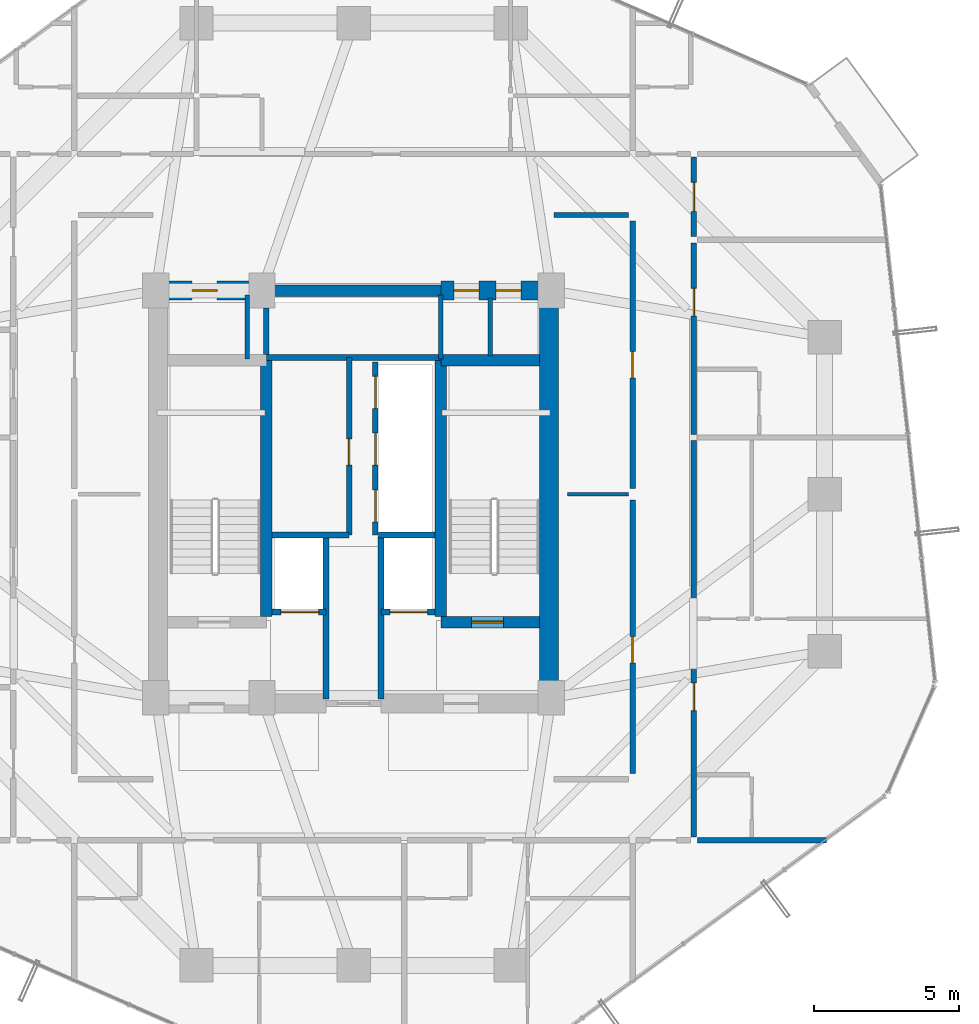
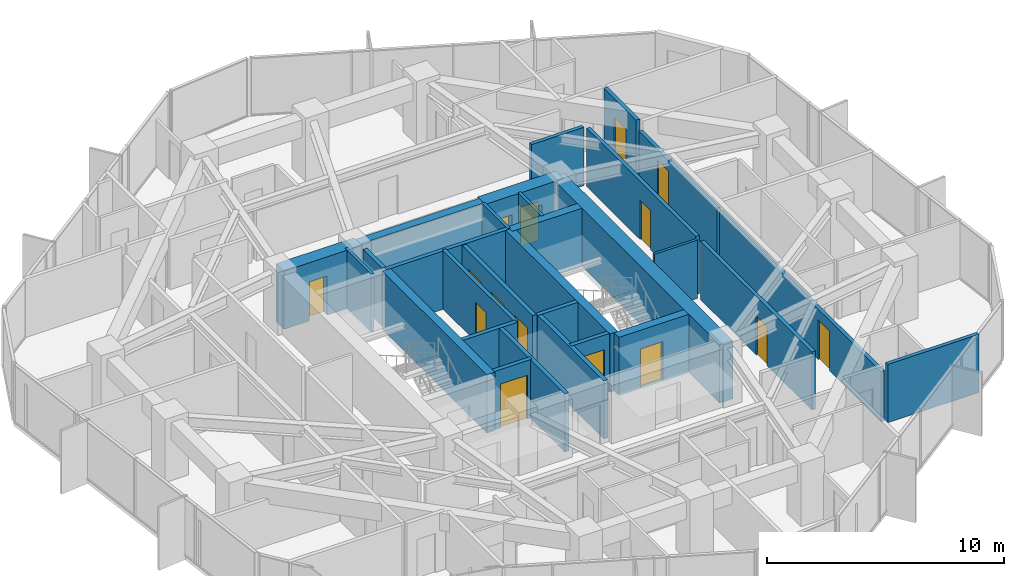
# One storey, part 30 of 34: 29 walls, 15 doors, 15 openings.
"""IFC4 building model written with IfcOpenShell, lengths in metres."""

from ifc_helpers import new_model, si_unit, direction, frame, frame_2d, origin, place, context, subcontext, project, spatial, rectangle, extrude, source, transform, mapped, material, layer, layer_set, type_object, element, fill, save


model = new_model("IFC4")

# Units and contexts
model_context = context("Model", 3, precision=1e-05, world=origin(), true_north=direction((0.0, 1.0)))
body_context = subcontext(model_context, "Body", "Model", "MODEL_VIEW")
ifc_project = project(units=[si_unit("LENGTHUNIT", "METRE"), si_unit("AREAUNIT", "SQUARE_METRE"), si_unit("VOLUMEUNIT", "CUBIC_METRE"), si_unit("PLANEANGLEUNIT", "RADIAN"), si_unit("MASSUNIT", "GRAM", prefix="KILO")], contexts=[model_context])

# Site, building, storey
site_placement = place(None, origin())
site = spatial("IfcSite", under=ifc_project, at=site_placement, CompositionType="ELEMENT")
building_placement = place(site_placement, origin())
building = spatial("IfcBuilding", under=site, at=building_placement, Name="Veraguas Prism Commons", CompositionType="ELEMENT")
storey_placement = place(building_placement, frame((0.0, 0.0, 149.0)))
storey = spatial("IfcBuildingStorey", under=building, at=storey_placement, Name="L42", CompositionType="ELEMENT", Elevation=149.0)

# Wall
ifc_material_1 = material(Name="Concrete C50/60", Category="concrete")
ifc_layer_1 = layer(ifc_material_1, 0.39990234375, Name="Clinic and Mid Core Shear Wall RC 400", Category="concrete")
ifc_layer_set_1 = layer_set([ifc_layer_1], Name="Concrete C50/60")
wall_type_1 = type_object("IfcWallType", Name="Clinic and Mid Core Shear Wall RC 400", PredefinedType="SHEAR", material=ifc_layer_set_1)
wall_1_placement = place(storey_placement, frame((21.0, 31.0, 0.0), z_axis=(0.0, 0.0, 1.0), x_axis=(1.0, 0.0, 0.0)))
element("IfcWall", 1, at=wall_1_placement, inside=storey, type_object=wall_type_1, Name="High-Rise Lift Bank Front Shear Wall L42", PredefinedType="SHEAR", context=body_context, shape_type="SweptSolid", body=[
    extrude(rectangle(XDim=6.0, YDim=0.39990234375, at=frame_2d((3.0, 0.0))), origin(), (0.0, 0.0, 1.0), 3.0),
])

# Wall, opening, door
wall_2_placement = place(storey_placement, frame((27.0, 19.60009765625, 0.0), z_axis=(0.0, 0.0, 1.0), x_axis=(1.0, 0.0, 0.0)))
wall_2 = element("IfcWall", 2, at=wall_2_placement, inside=storey, type_object=wall_type_1, Name="Stair ST-02 South Shear Wall L42", PredefinedType="SHEAR", context=body_context, shape_type="SweptSolid", body=[
    extrude(rectangle(XDim=3.39990234375, YDim=0.39990234375, at=frame_2d((1.699951171875, 0.0))), origin(), (0.0, 0.0, 1.0), 3.0),
])
opening_1_placement = place(wall_2_placement, frame((1.050048828125, 0.0, 0.0)))
opening_1 = element("IfcOpeningElement", 3, at=opening_1_placement, cuts=wall_2, Name="Opening DR-05", PredefinedType="OPENING", context=body_context, shape_type="SweptSolid", body=[
    extrude(rectangle(XDim=1.10009765625, YDim=2.030029296875, at=frame_2d((0.550048828125, 1.01513671875))), frame((0.0, 0.2099609375, 0.0), z_axis=(0.0, -1.0, 0.0), x_axis=(1.0, 0.0, 0.0)), (0.0, 0.0, 1.0), 0.419921875),
])
ifc_material_2 = material(Name="Steel fire-rated door assembly", Category="steel")
door_type_1 = type_object("IfcDoorType", Name="Protected Stair and Refuge Fire Door 1100x2030", OperationType="NOTDEFINED", PredefinedType="DOOR", material=ifc_material_2)
shared_shape_1 = source(origin(), body_context, "Body", "SweptSolid", [
    extrude(rectangle(XDim=1.10009765625, YDim=2.030029296875, at=frame_2d((0.550048828125, 1.01513671875))), frame((0.0, 0.02490234375, 0.0), z_axis=(0.0, -1.0, 0.0), x_axis=(1.0, 0.0, 0.0)), (0.0, 0.0, 1.0), 0.050048828125),
])
door_1_placement = place(opening_1_placement, origin())
door_1 = element("IfcDoor", 4, at=door_1_placement, inside=storey, type_object=door_type_1, Name="Stair ST-02 Enclosure Door L42", OperationType="SINGLE_SWING_RIGHT", OverallHeight=2.030029296875, OverallWidth=1.10009765625, PredefinedType="DOOR", context=body_context, shape_type="MappedRepresentation", body=[
    mapped(shared_shape_1, transform((0.0, 0.0, 0.0), scale=1.0)),
])
fill(opening_1, door_1)

# Walls
for number, where, z_axis, x_axis, name in (
    (5, (21.0, 19.800048828125, 0.0), (0.0, 0.0, 1.0), (0.0, 1.0, 0.0), "Stair ST-01 Inner Shear Wall L42"),
    (6, (27.0, 19.800048828125, 0.0), (0.0, 0.0, 1.0), (0.0, 1.0, 0.0), "Stair ST-02 Inner Shear Wall L42"),
):
    element("IfcWall", number, at=place(storey_placement, frame(where, z_axis=z_axis, x_axis=x_axis)), inside=storey, type_object=wall_type_1, Name=name, PredefinedType="SHEAR", context=body_context, shape_type="SweptSolid", body=[
        extrude(rectangle(XDim=8.800048828125, YDim=0.39990234375, at=frame_2d((4.39990234375, 0.0))), origin(), (0.0, 0.0, 1.0), 3.0),
    ])
wall_3_placement = place(storey_placement, frame((27.0, 28.60009765625, 0.0), z_axis=(0.0, 0.0, 1.0), x_axis=(1.0, 0.0, 0.0)))
element("IfcWall", 7, at=wall_3_placement, inside=storey, type_object=wall_type_1, Name="Stair ST-02 North Shear Wall L42", PredefinedType="SHEAR", context=body_context, shape_type="SweptSolid", body=[
    extrude(rectangle(XDim=3.39990234375, YDim=0.39990234375, at=frame_2d((1.699951171875, 0.0))), origin(), (0.0, 0.0, 1.0), 3.0),
])
ifc_material_3 = material(Name="Concrete C55/67", Category="concrete")
ifc_layer_2 = layer(ifc_material_3, 0.64990234375, Name="Core Outer Shear Wall Mid RC 650", Category="concrete")
ifc_layer_set_2 = layer_set([ifc_layer_2], Name="Concrete C55/67")
wall_type_2 = type_object("IfcWallType", Name="Core Outer Shear Wall Mid RC 650", PredefinedType="SHEAR", material=ifc_layer_set_2)
wall_4_placement = place(storey_placement, frame((30.72509765625, 16.800048828125, 0.0), z_axis=(0.0, 0.0, 1.0), x_axis=(0.0, 1.0, 0.0)))
element("IfcWall", 8, at=wall_4_placement, inside=storey, type_object=wall_type_2, Name="Central Core East Shear Wall L42", PredefinedType="SHEAR", context=body_context, shape_type="SweptSolid", body=[
    extrude(rectangle(XDim=14.199951171875, YDim=0.64990234375, at=frame_2d((7.10009765625, 0.0))), origin(), (0.0, 0.0, 1.0), 3.0),
])

# Wall, opening, door
wall_5_placement = place(storey_placement, frame((17.199951171875, 31.0, 0.0), z_axis=(0.0, 0.0, 1.0), x_axis=(1.0, 0.0, 0.0)))
wall_5 = element("IfcWall", 9, at=wall_5_placement, inside=storey, type_object=wall_type_2, Name="Central Core North-West Shear Wall L42", PredefinedType="SHEAR", context=body_context, shape_type="SweptSolid", body=[
    extrude(rectangle(XDim=3.800048828125, YDim=0.64990234375, at=frame_2d((1.89990234375, 0.0))), origin(), (0.0, 0.0, 1.0), 3.0),
])
opening_2_placement = place(wall_5_placement, frame((1.25, 0.0, 0.0)))
opening_2 = element("IfcOpeningElement", 10, at=opening_2_placement, cuts=wall_5, Name="Opening DR-12", PredefinedType="OPENING", context=body_context, shape_type="SweptSolid", body=[
    extrude(rectangle(XDim=0.860107421875, YDim=2.010009765625, at=frame_2d((0.43017578125, 1.0048828125))), frame((0.0, 0.3349609375, 0.0), z_axis=(0.0, -1.0, 0.0), x_axis=(1.0, 0.0, 0.0)), (0.0, 0.0, 1.0), 0.669921875),
])
door_type_2 = type_object("IfcDoorType", Name="Core WC Fire Door 860x2010", OperationType="NOTDEFINED", PredefinedType="DOOR", material=ifc_material_2)
shared_shape_2 = source(origin(), body_context, "Body", "SweptSolid", [
    extrude(rectangle(XDim=0.860107421875, YDim=2.010009765625, at=frame_2d((0.43017578125, 1.0048828125))), frame((0.0, 0.02490234375, 0.0), z_axis=(0.0, -1.0, 0.0), x_axis=(1.0, 0.0, 0.0)), (0.0, 0.0, 1.0), 0.050048828125),
])
door_2_placement = place(opening_2_placement, origin())
door_2 = element("IfcDoor", 11, at=door_2_placement, inside=storey, type_object=door_type_2, Name="Core NW Service Door L42", OperationType="SINGLE_SWING_RIGHT", OverallHeight=2.010009765625, OverallWidth=0.860107421875, PredefinedType="DOOR", context=body_context, shape_type="MappedRepresentation", body=[
    mapped(shared_shape_2, transform((0.0, 0.0, 0.0), scale=1.0)),
])
fill(opening_2, door_2)

# Wall, openings, doors
wall_6_placement = place(storey_placement, frame((27.0, 31.0, 0.0), z_axis=(0.0, 0.0, 1.0), x_axis=(1.0, 0.0, 0.0)))
wall_6 = element("IfcWall", 12, at=wall_6_placement, inside=storey, type_object=wall_type_2, Name="Central Core North-East Shear Wall L42", PredefinedType="SHEAR", context=body_context, shape_type="SweptSolid", body=[
    extrude(rectangle(XDim=3.800048828125, YDim=0.64990234375, at=frame_2d((1.89990234375, 0.0))), origin(), (0.0, 0.0, 1.0), 3.0),
])
opening_3_placement = place(wall_6_placement, frame((0.449951171875, 0.0, 0.0)))
opening_3 = element("IfcOpeningElement", 13, at=opening_3_placement, cuts=wall_6, Name="Opening DR-12", PredefinedType="OPENING", context=body_context, shape_type="SweptSolid", body=[
    extrude(rectangle(XDim=0.860107421875, YDim=2.010009765625, at=frame_2d((0.43017578125, 1.0048828125))), frame((0.0, 0.3349609375, 0.0), z_axis=(0.0, -1.0, 0.0), x_axis=(1.0, 0.0, 0.0)), (0.0, 0.0, 1.0), 0.669921875),
])
opening_4_placement = place(wall_6_placement, frame((1.89990234375, 0.0, 0.0)))
opening_4 = element("IfcOpeningElement", 14, at=opening_4_placement, cuts=wall_6, Name="Opening DR-12", PredefinedType="OPENING", context=body_context, shape_type="SweptSolid", body=[
    extrude(rectangle(XDim=0.860107421875, YDim=2.010009765625, at=frame_2d((0.43017578125, 1.0048828125))), frame((0.0, 0.3349609375, 0.0), z_axis=(0.0, -1.0, 0.0), x_axis=(1.0, 0.0, 0.0)), (0.0, 0.0, 1.0), 0.669921875),
])
door_3_placement = place(opening_3_placement, origin())
door_3 = element("IfcDoor", 15, at=door_3_placement, inside=storey, type_object=door_type_2, Name="Core NE Room A Door L42", OperationType="SINGLE_SWING_LEFT", OverallHeight=2.010009765625, OverallWidth=0.860107421875, PredefinedType="DOOR", context=body_context, shape_type="MappedRepresentation", body=[
    mapped(shared_shape_2, transform((0.0, 0.0, 0.0), scale=1.0)),
])
fill(opening_3, door_3)
door_4_placement = place(opening_4_placement, origin())
door_4 = element("IfcDoor", 16, at=door_4_placement, inside=storey, type_object=door_type_2, Name="Core NE Room B Door L42", OperationType="SINGLE_SWING_RIGHT", OverallHeight=2.010009765625, OverallWidth=0.860107421875, PredefinedType="DOOR", context=body_context, shape_type="MappedRepresentation", body=[
    mapped(shared_shape_2, transform((0.0, 0.0, 0.0), scale=1.0)),
])
fill(opening_4, door_4)

# Wall, opening, door
ifc_material_4 = material(Name="Autoclaved aerated masonry block 10 MPa", Category="masonry")
ifc_layer_3 = layer(ifc_material_4, 0.179931640625, Name="Corridor and Inter-Tenancy Partition 180", Category="masonry")
ifc_layer_set_3 = layer_set([ifc_layer_3], Name="Autoclaved aerated masonry block 10 MPa")
wall_type_3 = type_object("IfcWallType", Name="Corridor and Inter-Tenancy Partition 180", PredefinedType="PARTITIONING", material=ifc_layer_set_3)
wall_7_placement = place(storey_placement, frame((23.85009765625, 22.60009765625, 0.0), z_axis=(0.0, 0.0, 1.0), x_axis=(0.0, 1.0, 0.0)))
wall_7 = element("IfcWall", 17, at=wall_7_placement, inside=storey, type_object=wall_type_3, Name="Reading Room Partition L42", PredefinedType="PARTITIONING", context=body_context, shape_type="SweptSolid", body=[
    extrude(rectangle(XDim=6.099853515625, YDim=0.179931640625, at=frame_2d((3.0498046875, 0.0))), origin(), (0.0, 0.0, 1.0), 3.0),
])
opening_5_placement = place(wall_7_placement, frame((2.39990234375, 0.0, 0.0)))
opening_5 = element("IfcOpeningElement", 18, at=opening_5_placement, cuts=wall_7, Name="Opening DR-14", PredefinedType="OPENING", context=body_context, shape_type="SweptSolid", body=[
    extrude(rectangle(XDim=0.89990234375, YDim=2.010009765625, at=frame_2d((0.449951171875, 1.0048828125))), frame((0.0, 0.099853515625, 0.0), z_axis=(0.0, -1.0, 0.0), x_axis=(1.0, 0.0, 0.0)), (0.0, 0.0, 1.0), 0.199951171875),
])
door_type_3 = type_object("IfcDoorType", Name="Core Service Room Fire Door 900x2010", OperationType="NOTDEFINED", PredefinedType="DOOR", material=ifc_material_2)
shared_shape_3 = source(origin(), body_context, "Body", "SweptSolid", [
    extrude(rectangle(XDim=0.89990234375, YDim=2.010009765625, at=frame_2d((0.449951171875, 1.0048828125))), frame((0.0, 0.02490234375, 0.0), z_axis=(0.0, -1.0, 0.0), x_axis=(1.0, 0.0, 0.0)), (0.0, 0.0, 1.0), 0.050048828125),
])
door_5_placement = place(opening_5_placement, origin())
door_5 = element("IfcDoor", 19, at=door_5_placement, inside=storey, type_object=door_type_3, Name="Reading Room Door L42", OperationType="SINGLE_SWING_LEFT", OverallHeight=2.010009765625, OverallWidth=0.89990234375, PredefinedType="DOOR", context=body_context, shape_type="MappedRepresentation", body=[
    mapped(shared_shape_3, transform((0.0, 0.0, 0.0), scale=1.0)),
])
fill(opening_5, door_5)

wall_8_placement = place(storey_placement, frame((33.60009765625, 14.39990234375, 0.0), z_axis=(0.0, 0.0, 1.0), x_axis=(0.0, 1.0, 0.0)))
wall_8 = element("IfcWall", 20, at=wall_8_placement, inside=storey, type_object=wall_type_3, Name="WL-L42-IRE1", PredefinedType="PARTITIONING", context=body_context, shape_type="SweptSolid", body=[
    extrude(rectangle(XDim=9.400146484375, YDim=0.179931640625, at=frame_2d((4.7001953125, 0.0))), origin(), (0.0, 0.0, 1.0), 3.0),
])
opening_6_placement = place(wall_8_placement, frame((3.800048828125, 0.0, 0.0)))
opening_6 = element("IfcOpeningElement", 21, at=opening_6_placement, cuts=wall_8, Name="Opening DR-14", PredefinedType="OPENING", context=body_context, shape_type="SweptSolid", body=[
    extrude(rectangle(XDim=0.89990234375, YDim=2.010009765625, at=frame_2d((0.449951171875, 1.0048828125))), frame((0.0, 0.099853515625, 0.0), z_axis=(0.0, -1.0, 0.0), x_axis=(1.0, 0.0, 0.0)), (0.0, 0.0, 1.0), 0.199951171875),
])
door_6_placement = place(opening_6_placement, origin())
door_6 = element("IfcDoor", 22, at=door_6_placement, inside=storey, type_object=door_type_3, Name="Shared Laundry Annex Door L42", OperationType="SINGLE_SWING_RIGHT", OverallHeight=2.010009765625, OverallWidth=0.89990234375, PredefinedType="DOOR", context=body_context, shape_type="MappedRepresentation", body=[
    mapped(shared_shape_3, transform((0.0, 0.0, 0.0), scale=1.0)),
])
fill(opening_6, door_6)

wall_9_placement = place(storey_placement, frame((33.60009765625, 24.199951171875, 0.0), z_axis=(0.0, 0.0, 1.0), x_axis=(0.0, 1.0, 0.0)))
wall_9 = element("IfcWall", 23, at=wall_9_placement, inside=storey, type_object=wall_type_3, Name="WL-L42-IRE2", PredefinedType="PARTITIONING", context=body_context, shape_type="SweptSolid", body=[
    extrude(rectangle(XDim=9.199951171875, YDim=0.179931640625, at=frame_2d((4.60009765625, 0.0))), origin(), (0.0, 0.0, 1.0), 3.0),
])
opening_7_placement = place(wall_9_placement, frame((3.800048828125, 0.0, 0.0)))
opening_7 = element("IfcOpeningElement", 24, at=opening_7_placement, cuts=wall_9, Name="Opening DR-14", PredefinedType="OPENING", context=body_context, shape_type="SweptSolid", body=[
    extrude(rectangle(XDim=0.89990234375, YDim=2.010009765625, at=frame_2d((0.449951171875, 1.0048828125))), frame((0.0, 0.099853515625, 0.0), z_axis=(0.0, -1.0, 0.0), x_axis=(1.0, 0.0, 0.0)), (0.0, 0.0, 1.0), 0.199951171875),
])
door_7_placement = place(opening_7_placement, origin())
door_7 = element("IfcDoor", 25, at=door_7_placement, inside=storey, type_object=door_type_3, Name="Community Reading Alcove Door L42", OperationType="SINGLE_SWING_LEFT", OverallHeight=2.010009765625, OverallWidth=0.89990234375, PredefinedType="DOOR", context=body_context, shape_type="MappedRepresentation", body=[
    mapped(shared_shape_3, transform((0.0, 0.0, 0.0), scale=1.0)),
])
fill(opening_7, door_7)

# Walls
wall_10_placement = place(storey_placement, frame((30.89990234375, 33.60009765625, 0.0), z_axis=(0.0, 0.0, 1.0), x_axis=(1.0, 0.0, 0.0)))
element("IfcWall", 26, at=wall_10_placement, inside=storey, type_object=wall_type_3, Name="WL-L42-IREN", PredefinedType="PARTITIONING", context=body_context, shape_type="SweptSolid", body=[
    extrude(rectangle(XDim=2.550048828125, YDim=0.179931640625, at=frame_2d((1.27490234375, 0.0))), origin(), (0.0, 0.0, 1.0), 3.0),
])
wall_11_placement = place(storey_placement, frame((35.820068359375, 12.10009765625, 0.0), z_axis=(0.0, 0.0, 1.0), x_axis=(1.0, 0.0, 0.0)))
element("IfcWall", 27, at=wall_11_placement, inside=storey, type_object=wall_type_3, Name="WL-L42-PT037", PredefinedType="PARTITIONING", context=body_context, shape_type="SweptSolid", body=[
    extrude(rectangle(XDim=4.43994140625, YDim=0.179931640625, at=frame_2d((2.219970703125, 0.0))), origin(), (0.0, 0.0, 1.0), 3.0),
])

# Wall, opening, door
wall_12_placement = place(storey_placement, frame((35.699951171875, 12.2099609375, 0.0), z_axis=(0.0, 0.0, 1.0), x_axis=(0.0, 1.0, 0.0)))
wall_12 = element("IfcWall", 28, at=wall_12_placement, inside=storey, type_object=wall_type_3, Name="WL-L42-PT039", PredefinedType="PARTITIONING", context=body_context, shape_type="SweptSolid", body=[
    extrude(rectangle(XDim=13.6279296875, YDim=0.179931640625, at=frame_2d((6.81396484375, 0.0))), origin(), (0.0, 0.0, 1.0), 2.580078125),
])
opening_8_placement = place(wall_12_placement, frame((4.347900390625, 0.0, 0.0)))
opening_8 = element("IfcOpeningElement", 29, at=opening_8_placement, cuts=wall_12, Name="Opening DR-01", PredefinedType="OPENING", context=body_context, shape_type="SweptSolid", body=[
    extrude(rectangle(XDim=0.949951171875, YDim=2.02001953125, at=frame_2d((0.47509765625, 1.010009765625))), frame((0.0, 0.099853515625, 0.0), z_axis=(0.0, -1.0, 0.0), x_axis=(1.0, 0.0, 0.0)), (0.0, 0.0, 1.0), 0.199951171875),
])
ifc_material_5 = material(Name="Anodised aluminium EN AW-6063 T6", Category="aluminium")
door_type_4 = type_object("IfcDoorType", Name="Apartment Entrance Fire Door 950x2020", OperationType="NOTDEFINED", PredefinedType="DOOR", material=ifc_material_5)
shared_shape_4 = source(origin(), body_context, "Body", "SweptSolid", [
    extrude(rectangle(XDim=0.949951171875, YDim=2.02001953125, at=frame_2d((0.47509765625, 1.010009765625))), frame((0.0, 0.02490234375, 0.0), z_axis=(0.0, -1.0, 0.0), x_axis=(1.0, 0.0, 0.0)), (0.0, 0.0, 1.0), 0.050048828125),
])
door_8_placement = place(opening_8_placement, origin())
door_8 = element("IfcDoor", 30, at=door_8_placement, inside=storey, type_object=door_type_4, Name="Flat 42D Entrance Door", OperationType="SINGLE_SWING_RIGHT", OverallHeight=2.02001953125, OverallWidth=0.949951171875, PredefinedType="DOOR", context=body_context, shape_type="MappedRepresentation", body=[
    mapped(shared_shape_4, transform((0.0, 0.0, 0.0), scale=1.0)),
])
fill(opening_8, door_8)

wall_13_placement = place(storey_placement, frame((35.699951171875, 32.860107421875, 0.0), z_axis=(0.0, 0.0, 1.0), x_axis=(0.0, 1.0, 0.0)))
wall_13 = element("IfcWall", 31, at=wall_13_placement, inside=storey, type_object=wall_type_3, Name="WL-L42-PT046", PredefinedType="PARTITIONING", context=body_context, shape_type="SweptSolid", body=[
    extrude(rectangle(XDim=2.72998046875, YDim=0.179931640625, at=frame_2d((1.364990234375, 0.0))), origin(), (0.0, 0.0, 1.0), 3.0),
])
opening_9_placement = place(wall_13_placement, frame((0.864990234375, 0.0, 0.0)))
opening_9 = element("IfcOpeningElement", 32, at=opening_9_placement, cuts=wall_13, Name="Opening DR-13", PredefinedType="OPENING", context=body_context, shape_type="SweptSolid", body=[
    extrude(rectangle(XDim=1.0, YDim=2.010009765625, at=frame_2d((0.5, 1.0048828125))), frame((0.0, 0.099853515625, 0.0), z_axis=(0.0, -1.0, 0.0), x_axis=(1.0, 0.0, 0.0)), (0.0, 0.0, 1.0), 0.199951171875),
])
door_type_5 = type_object("IfcDoorType", Name="Core Accessible WC and Clinic Fire Door 1000x2010", OperationType="NOTDEFINED", PredefinedType="DOOR", material=ifc_material_2)
shared_shape_5 = source(origin(), body_context, "Body", "SweptSolid", [
    extrude(rectangle(XDim=1.0, YDim=2.010009765625, at=frame_2d((0.5, 1.0048828125))), frame((0.0, 0.02490234375, 0.0), z_axis=(0.0, -1.0, 0.0), x_axis=(1.0, 0.0, 0.0)), (0.0, 0.0, 1.0), 0.050048828125),
])
door_9_placement = place(opening_9_placement, origin())
door_9 = element("IfcDoor", 33, at=door_9_placement, inside=storey, type_object=door_type_5, Name="Quiet Study E Door", OperationType="SINGLE_SWING_RIGHT", OverallHeight=2.010009765625, OverallWidth=1.0, PredefinedType="DOOR", context=body_context, shape_type="MappedRepresentation", body=[
    mapped(shared_shape_5, transform((0.0, 0.0, 0.0), scale=1.0)),
])
fill(opening_9, door_9)

wall_14_placement = place(storey_placement, frame((35.699951171875, 26.05810546875, 0.0), z_axis=(0.0, 0.0, 1.0), x_axis=(0.0, 1.0, 0.0)))
wall_14 = element("IfcWall", 34, at=wall_14_placement, inside=storey, type_object=wall_type_3, Name="WL-L42-PT048", PredefinedType="PARTITIONING", context=body_context, shape_type="SweptSolid", body=[
    extrude(rectangle(XDim=6.581787109375, YDim=0.179931640625, at=frame_2d((3.291015625, 0.0))), origin(), (0.0, 0.0, 1.0), 2.580078125),
])
opening_10_placement = place(wall_14_placement, frame((4.07177734375, 0.0, 0.0)))
opening_10 = element("IfcOpeningElement", 35, at=opening_10_placement, cuts=wall_14, Name="Opening DR-01", PredefinedType="OPENING", context=body_context, shape_type="SweptSolid", body=[
    extrude(rectangle(XDim=0.949951171875, YDim=2.02001953125, at=frame_2d((0.47509765625, 1.010009765625))), frame((0.0, 0.099853515625, 0.0), z_axis=(0.0, -1.0, 0.0), x_axis=(1.0, 0.0, 0.0)), (0.0, 0.0, 1.0), 0.199951171875),
])
door_10_placement = place(opening_10_placement, origin())
door_10 = element("IfcDoor", 36, at=door_10_placement, inside=storey, type_object=door_type_4, Name="Studio 42E Entrance Door", OperationType="SINGLE_SWING_LEFT", OverallHeight=2.02001953125, OverallWidth=0.949951171875, PredefinedType="DOOR", context=body_context, shape_type="MappedRepresentation", body=[
    mapped(shared_shape_4, transform((0.0, 0.0, 0.0), scale=1.0)),
])
fill(opening_10, door_10)

# Wall
ifc_material_6 = material(Name="Lightweight acoustic gypsum board")
ifc_layer_4 = layer(ifc_material_6, 0.125, Name="Internal Apartment Room Partition 125")
ifc_layer_set_4 = layer_set([ifc_layer_4], Name="Lightweight acoustic gypsum board")
wall_type_4 = type_object("IfcWallType", Name="Internal Apartment Room Partition 125", PredefinedType="PARTITIONING", material=ifc_layer_set_4)
wall_15_placement = place(storey_placement, frame((31.35009765625, 24.0, 0.0), z_axis=(0.0, 0.0, 1.0), x_axis=(1.0, 0.0, 0.0)))
element("IfcWall", 37, at=wall_15_placement, inside=storey, type_object=wall_type_4, Name="WL-L42-IREM", PredefinedType="PARTITIONING", context=body_context, shape_type="SweptSolid", body=[
    extrude(rectangle(XDim=2.099853515625, YDim=0.125, at=frame_2d((1.0498046875, 0.0))), origin(), (0.0, 0.0, 1.0), 3.0),
])

# Wall, opening, door
ifc_layer_5 = layer(ifc_material_4, 0.199951171875, Name="Rated Shaft and Lobby Block Wall 200", Category="masonry")
ifc_layer_set_5 = layer_set([ifc_layer_5], Name="Autoclaved aerated masonry block 10 MPa")
wall_type_5 = type_object("IfcWallType", Name="Rated Shaft and Lobby Block Wall 200", PredefinedType="SOLIDWALL", material=ifc_layer_set_5)
wall_16_placement = place(storey_placement, frame((21.199951171875, 19.949951171875, 0.0), z_axis=(0.0, 0.0, 1.0), x_axis=(1.0, 0.0, 0.0)))
wall_16 = element("IfcWall", 38, at=wall_16_placement, inside=storey, type_object=wall_type_5, Name="Firefighting Lift FFL-1 Front Wall L42", PredefinedType="SOLIDWALL", context=body_context, shape_type="SweptSolid", body=[
    extrude(rectangle(XDim=1.85009765625, YDim=0.199951171875, at=frame_2d((0.925048828125, 0.0))), origin(), (0.0, 0.0, 1.0), 3.0),
])
opening_11_placement = place(wall_16_placement, frame((0.300048828125, 0.0, 0.0)))
opening_11 = element("IfcOpeningElement", 39, at=opening_11_placement, cuts=wall_16, Name="Opening LD-02", PredefinedType="OPENING", context=body_context, shape_type="SweptSolid", body=[
    extrude(rectangle(XDim=1.300048828125, YDim=2.25, at=frame_2d((0.64990234375, 1.125))), frame((0.0, 0.10986328125, 0.0), z_axis=(0.0, -1.0, 0.0), x_axis=(1.0, 0.0, 0.0)), (0.0, 0.0, 1.0), 0.219970703125),
])
ifc_material_7 = material(Name="Stainless steel AISI 316", Category="steel")
door_type_6 = type_object("IfcDoorType", Name="Firefighting Lift Sliding Landing Door 1300x2250", OperationType="NOTDEFINED", PredefinedType="DOOR", material=ifc_material_7)
shared_shape_6 = source(origin(), body_context, "Body", "SweptSolid", [
    extrude(rectangle(XDim=1.300048828125, YDim=2.25, at=frame_2d((0.64990234375, 1.125))), frame((0.0, 0.02490234375, 0.0), z_axis=(0.0, -1.0, 0.0), x_axis=(1.0, 0.0, 0.0)), (0.0, 0.0, 1.0), 0.050048828125),
])
door_11_placement = place(opening_11_placement, origin())
door_11 = element("IfcDoor", 40, at=door_11_placement, inside=storey, type_object=door_type_6, Name="Firefighting Lift FFL-1 Landing Door L42", OperationType="SLIDING_TO_LEFT", OverallHeight=2.25, OverallWidth=1.300048828125, PredefinedType="DOOR", context=body_context, shape_type="MappedRepresentation", body=[
    mapped(shared_shape_6, transform((0.0, 0.0, 0.0), scale=1.0)),
])
fill(opening_11, door_11)

wall_17_placement = place(storey_placement, frame((24.949951171875, 19.949951171875, 0.0), z_axis=(0.0, 0.0, 1.0), x_axis=(1.0, 0.0, 0.0)))
wall_17 = element("IfcWall", 41, at=wall_17_placement, inside=storey, type_object=wall_type_5, Name="Firefighting Lift FFL-2 Front Wall L42", PredefinedType="SOLIDWALL", context=body_context, shape_type="SweptSolid", body=[
    extrude(rectangle(XDim=1.85009765625, YDim=0.199951171875, at=frame_2d((0.925048828125, 0.0))), origin(), (0.0, 0.0, 1.0), 3.0),
])
opening_12_placement = place(wall_17_placement, frame((0.300048828125, 0.0, 0.0)))
opening_12 = element("IfcOpeningElement", 42, at=opening_12_placement, cuts=wall_17, Name="Opening LD-02", PredefinedType="OPENING", context=body_context, shape_type="SweptSolid", body=[
    extrude(rectangle(XDim=1.300048828125, YDim=2.25, at=frame_2d((0.64990234375, 1.125))), frame((0.0, 0.10986328125, 0.0), z_axis=(0.0, -1.0, 0.0), x_axis=(1.0, 0.0, 0.0)), (0.0, 0.0, 1.0), 0.219970703125),
])
door_12_placement = place(opening_12_placement, origin())
door_12 = element("IfcDoor", 43, at=door_12_placement, inside=storey, type_object=door_type_6, Name="Firefighting Lift FFL-2 Front Wall L42", OperationType="SLIDING_TO_LEFT", OverallHeight=2.25, OverallWidth=1.300048828125, PredefinedType="DOOR", context=body_context, shape_type="MappedRepresentation", body=[
    mapped(shared_shape_6, transform((0.0, 0.0, 0.0), scale=1.0)),
])
fill(opening_12, door_12)

# Walls
for number, where, z_axis, x_axis, name in (
    (44, (23.050048828125, 16.949951171875, 0.0), (0.0, 0.0, 1.0), (0.0, 1.0, 0.0), "West FF Lobby Divider Wall L42"),
    (45, (24.949951171875, 16.949951171875, 0.0), (0.0, 0.0, 1.0), (0.0, 1.0, 0.0), "East FF Lobby Divider Wall L42"),
):
    element("IfcWall", number, at=place(storey_placement, frame(where, z_axis=z_axis, x_axis=x_axis)), inside=storey, type_object=wall_type_5, Name=name, PredefinedType="SOLIDWALL", context=body_context, shape_type="SweptSolid", body=[
        extrude(rectangle(XDim=5.60009765625, YDim=0.199951171875, at=frame_2d((2.800048828125, 0.0))), origin(), (0.0, 0.0, 1.0), 3.0),
    ])
wall_18_placement = place(storey_placement, frame((21.199951171875, 22.60009765625, 0.0), z_axis=(0.0, 0.0, 1.0), x_axis=(1.0, 0.0, 0.0)))
element("IfcWall", 46, at=wall_18_placement, inside=storey, type_object=wall_type_5, Name="Firefighting Lift FFL-1 Rear Wall L42", PredefinedType="SOLIDWALL", context=body_context, shape_type="SweptSolid", body=[
    extrude(rectangle(XDim=2.650146484375, YDim=0.199951171875, at=frame_2d((1.3251953125, 0.0))), origin(), (0.0, 0.0, 1.0), 3.0),
])
wall_19_placement = place(storey_placement, frame((24.85009765625, 22.60009765625, 0.0), z_axis=(0.0, 0.0, 1.0), x_axis=(1.0, 0.0, 0.0)))
element("IfcWall", 47, at=wall_19_placement, inside=storey, type_object=wall_type_5, Name="Firefighting Lift FFL-2 Rear Wall L42", PredefinedType="SOLIDWALL", context=body_context, shape_type="SweptSolid", body=[
    extrude(rectangle(XDim=1.949951171875, YDim=0.199951171875, at=frame_2d((0.97509765625, 0.0))), origin(), (0.0, 0.0, 1.0), 3.0),
])
wall_20_placement = place(storey_placement, frame((21.0, 28.699951171875, 0.0), z_axis=(0.0, 0.0, 1.0), x_axis=(1.0, 0.0, 0.0)))
element("IfcWall", 48, at=wall_20_placement, inside=storey, type_object=wall_type_5, Name="High-Rise Lift Bank Rear Shaft Wall L42", PredefinedType="SOLIDWALL", context=body_context, shape_type="SweptSolid", body=[
    extrude(rectangle(XDim=6.0, YDim=0.199951171875, at=frame_2d((3.0, 0.0))), origin(), (0.0, 0.0, 1.0), 3.0),
])
wall_21_placement = place(storey_placement, frame((21.0, 28.800048828125, 0.0), z_axis=(0.0, 0.0, 1.0), x_axis=(0.0, 1.0, 0.0)))
element("IfcWall", 49, at=wall_21_placement, inside=storey, type_object=wall_type_5, Name="High-Rise Lift Bank West Shaft Wall L42", PredefinedType="SOLIDWALL", context=body_context, shape_type="SweptSolid", body=[
    extrude(rectangle(XDim=1.599853515625, YDim=0.199951171875, at=frame_2d((0.7998046875, 0.0))), origin(), (0.0, 0.0, 1.0), 3.0),
])

# Wall, openings, doors
wall_22_placement = place(storey_placement, frame((24.75, 22.60009765625, 0.0), z_axis=(0.0, 0.0, 1.0), x_axis=(0.0, 1.0, 0.0)))
wall_22 = element("IfcWall", 50, at=wall_22_placement, inside=storey, type_object=wall_type_5, Name="Mid-Rise Lift Bank Front Wall L42", PredefinedType="SOLIDWALL", context=body_context, shape_type="SweptSolid", body=[
    extrude(rectangle(XDim=5.949951171875, YDim=0.199951171875, at=frame_2d((2.97509765625, 0.0))), origin(), (0.0, 0.0, 1.0), 3.0),
])
opening_13_placement = place(wall_22_placement, frame((0.449951171875, 0.0, 0.0)))
opening_13 = element("IfcOpeningElement", 51, at=opening_13_placement, cuts=wall_22, Name="Opening LD-01", PredefinedType="OPENING", context=body_context, shape_type="SweptSolid", body=[
    extrude(rectangle(XDim=1.10009765625, YDim=2.080078125, at=frame_2d((0.550048828125, 1.0400390625))), frame((0.0, 0.10986328125, 0.0), z_axis=(0.0, -1.0, 0.0), x_axis=(1.0, 0.0, 0.0)), (0.0, 0.0, 1.0), 0.219970703125),
])
opening_14_placement = place(wall_22_placement, frame((2.39990234375, 0.0, 0.0)))
opening_14 = element("IfcOpeningElement", 52, at=opening_14_placement, cuts=wall_22, Name="Opening LD-01", PredefinedType="OPENING", context=body_context, shape_type="SweptSolid", body=[
    extrude(rectangle(XDim=1.10009765625, YDim=2.080078125, at=frame_2d((0.550048828125, 1.0400390625))), frame((0.0, 0.10986328125, 0.0), z_axis=(0.0, -1.0, 0.0), x_axis=(1.0, 0.0, 0.0)), (0.0, 0.0, 1.0), 0.219970703125),
])
opening_15_placement = place(wall_22_placement, frame((4.35009765625, 0.0, 0.0)))
opening_15 = element("IfcOpeningElement", 53, at=opening_15_placement, cuts=wall_22, Name="Opening LD-01", PredefinedType="OPENING", context=body_context, shape_type="SweptSolid", body=[
    extrude(rectangle(XDim=1.10009765625, YDim=2.080078125, at=frame_2d((0.550048828125, 1.0400390625))), frame((0.0, 0.10986328125, 0.0), z_axis=(0.0, -1.0, 0.0), x_axis=(1.0, 0.0, 0.0)), (0.0, 0.0, 1.0), 0.219970703125),
])
door_type_7 = type_object("IfcDoorType", Name="Passenger Lift Sliding Landing Door 1100x2080", OperationType="NOTDEFINED", PredefinedType="DOOR", material=ifc_material_7)
shared_shape_7 = source(origin(), body_context, "Body", "SweptSolid", [
    extrude(rectangle(XDim=1.10009765625, YDim=2.080078125, at=frame_2d((0.550048828125, 1.0400390625))), frame((0.0, 0.02490234375, 0.0), z_axis=(0.0, -1.0, 0.0), x_axis=(1.0, 0.0, 0.0)), (0.0, 0.0, 1.0), 0.050048828125),
])
door_13_placement = place(opening_13_placement, origin())
door_13 = element("IfcDoor", 54, at=door_13_placement, inside=storey, type_object=door_type_7, Name="Sliding Landing Door PL-M1 L42", OperationType="SLIDING_TO_LEFT", OverallHeight=2.080078125, OverallWidth=1.10009765625, PredefinedType="DOOR", context=body_context, shape_type="MappedRepresentation", body=[
    mapped(shared_shape_7, transform((0.0, 0.0, 0.0), scale=1.0)),
])
fill(opening_13, door_13)
door_14_placement = place(opening_14_placement, origin())
door_14 = element("IfcDoor", 55, at=door_14_placement, inside=storey, type_object=door_type_7, Name="Sliding Landing Door PL-M2 L42", OperationType="SLIDING_TO_LEFT", OverallHeight=2.080078125, OverallWidth=1.10009765625, PredefinedType="DOOR", context=body_context, shape_type="MappedRepresentation", body=[
    mapped(shared_shape_7, transform((0.0, 0.0, 0.0), scale=1.0)),
])
fill(opening_14, door_14)
door_15_placement = place(opening_15_placement, origin())
door_15 = element("IfcDoor", 56, at=door_15_placement, inside=storey, type_object=door_type_7, Name="Sliding Landing Door PL-M3 L42", OperationType="SLIDING_TO_LEFT", OverallHeight=2.080078125, OverallWidth=1.10009765625, PredefinedType="DOOR", context=body_context, shape_type="MappedRepresentation", body=[
    mapped(shared_shape_7, transform((0.0, 0.0, 0.0), scale=1.0)),
])
fill(opening_15, door_15)

# Walls
ifc_layer_6 = layer(ifc_material_6, 0.14990234375, Name="Wet Room and Clinic Acoustic Partition 150")
ifc_layer_set_6 = layer_set([ifc_layer_6], Name="Lightweight acoustic gypsum board")
wall_type_6 = type_object("IfcWallType", Name="Wet Room and Clinic Acoustic Partition 150", PredefinedType="PARTITIONING", material=ifc_layer_set_6)
for number, where, z_axis, x_axis, name in (
    (57, (20.35009765625, 28.64990234375, 0.0), (0.0, 0.0, 1.0), (0.0, 1.0, 0.0), "Core NW Service Inner Wall L42"),
    (58, (27.0, 28.64990234375, 0.0), (0.0, 0.0, 1.0), (0.0, 1.0, 0.0), "Core NE Service Inner Wall L42"),
):
    element("IfcWall", number, at=place(storey_placement, frame(where, z_axis=z_axis, x_axis=x_axis)), inside=storey, type_object=wall_type_6, Name=name, PredefinedType="PARTITIONING", context=body_context, shape_type="SweptSolid", body=[
        extrude(rectangle(XDim=2.2001953125, YDim=0.14990234375, at=frame_2d((1.10009765625, 0.0))), origin(), (0.0, 0.0, 1.0), 3.0),
    ])
wall_23_placement = place(storey_placement, frame((28.699951171875, 28.75, 0.0), z_axis=(0.0, 0.0, 1.0), x_axis=(0.0, 1.0, 0.0)))
element("IfcWall", 59, at=wall_23_placement, inside=storey, type_object=wall_type_6, Name="WL-L42-CSVD1", PredefinedType="PARTITIONING", context=body_context, shape_type="SweptSolid", body=[
    extrude(rectangle(XDim=2.0, YDim=0.14990234375, at=frame_2d((1.0, 0.0))), origin(), (0.0, 0.0, 1.0), 3.0),
])

save(model, "model.ifc")
